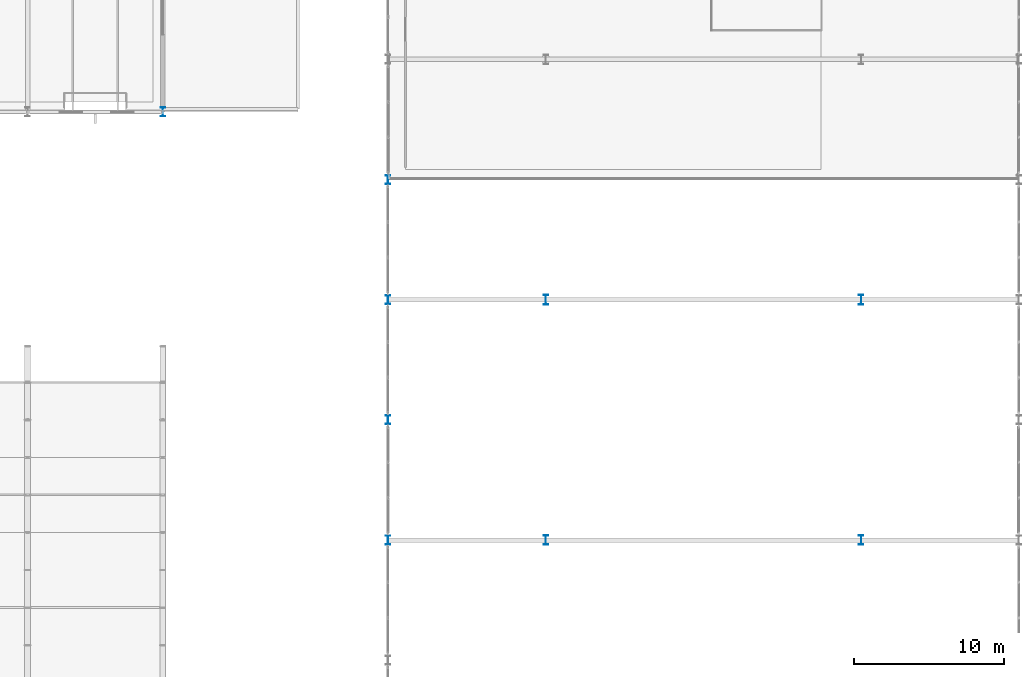
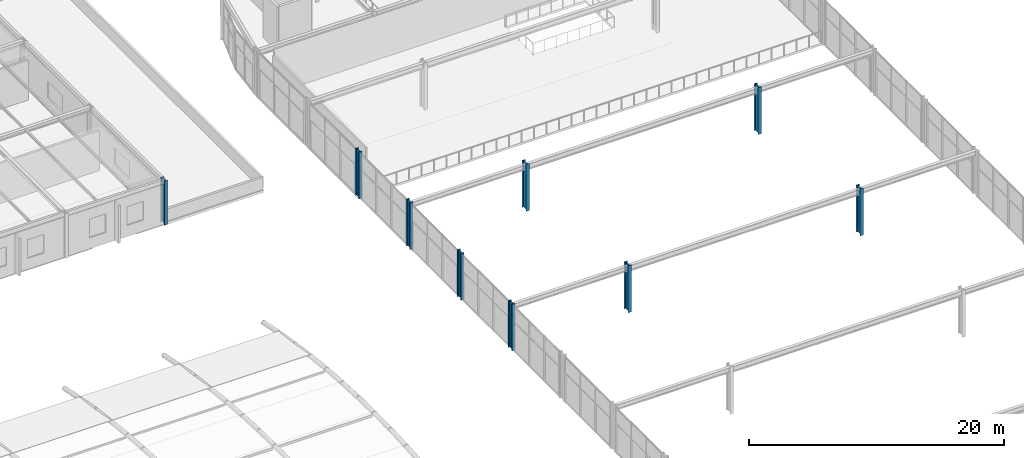
# One storey, part 5 of 105: 9 columns.
"""IFC4 building model written with IfcOpenShell, lengths in metres."""

from ifc_helpers import new_model, si_unit, direction, frame, origin, origin_2d, place, context, subcontext, project, spatial, i_section, extrude, material, material_profile, profile_set, type_object, element, save


model = new_model("IFC4")

# Units and contexts
model_context = context("Model", 3, precision=1e-05, world=origin(), true_north=direction((0.0, 1.0)))
body_context = subcontext(model_context, "Body", "Model", "MODEL_VIEW")
ifc_project = project(units=[si_unit("LENGTHUNIT", "METRE"), si_unit("AREAUNIT", "SQUARE_METRE"), si_unit("VOLUMEUNIT", "CUBIC_METRE"), si_unit("PLANEANGLEUNIT", "RADIAN"), si_unit("MASSUNIT", "GRAM", prefix="KILO")], contexts=[model_context])

# Site, building, storey
site_placement = place(None, origin())
site = spatial("IfcSite", under=ifc_project, at=site_placement, CompositionType="ELEMENT")
building_placement = place(site_placement, origin())
building = spatial("IfcBuilding", under=site, at=building_placement, Name="Marlcrest Central Station", CompositionType="ELEMENT")
storey_placement = place(building_placement, frame((0.0, 0.0, 15.0)))
storey = spatial("IfcBuildingStorey", under=building, at=storey_placement, Name="L03", CompositionType="ELEMENT", Elevation=15.0)

# Columns
ifc_material = material(Name="Steel S355", Category="steel")
ifc_material_profile_1 = material_profile(ifc_material, i_section(OverallWidth=0.300048828125, OverallDepth=0.60009765625, WebThickness=0.015380859375, FlangeThickness=0.030029296875, FilletRadius=0.027099609375, at=origin_2d()), Name="HEB 600")
ifc_profile_set_1 = profile_set([ifc_material_profile_1], Name="Steel S355")
column_type_1 = type_object("IfcColumnType", Name="SC-05", PredefinedType="COLUMN", material=ifc_profile_set_1)
column_placement = place(storey_placement, frame((72.0, 99.0, 0.0), z_axis=(0.0, 0.0, 1.0), x_axis=(1.0, 0.0, 0.0)))
element("IfcColumn", 1, at=column_placement, inside=storey, type_object=column_type_1, Name="col-SC-05-L03-0189", PredefinedType="COLUMN", context=body_context, shape_type="SweptSolid", body=[
    extrude(i_section(OverallWidth=0.300048828125, OverallDepth=0.60009765625, WebThickness=0.015380859375, FlangeThickness=0.030029296875, FilletRadius=0.027099609375, at=origin_2d()), origin(), (0.0, 0.0, 1.0), 4.235107421875),
])
for number, where, z_axis, x_axis, name in (
    (2, (87.0, 70.5, 0.0), (0.0, 0.0, 1.0), (1.0, 0.0, 0.0), "col-SC-05-L03-0728"),
    (3, (87.0, 78.5, 0.0), (0.0, 0.0, 1.0), (1.0, 0.0, 0.0), "col-SC-05-L03-0736"),
    (4, (87.0, 86.5, 0.0), (0.0, 0.0, 1.0), (1.0, 0.0, 0.0), "col-SC-05-L03-0740"),
    (5, (87.0, 94.5, 0.0), (0.0, 0.0, 1.0), (1.0, 0.0, 0.0), "col-SC-05-L03-0748"),
):
    element("IfcColumn", number, at=place(storey_placement, frame(where, z_axis=z_axis, x_axis=x_axis)), inside=storey, type_object=column_type_1, Name=name, PredefinedType="COLUMN", context=body_context, shape_type="SweptSolid", body=[
        extrude(i_section(OverallWidth=0.300048828125, OverallDepth=0.60009765625, WebThickness=0.015380859375, FlangeThickness=0.030029296875, FilletRadius=0.027099609375, at=origin_2d()), origin(), (0.0, 0.0, 1.0), 4.5),
    ])
ifc_material_profile_2 = material_profile(ifc_material, i_section(OverallWidth=0.300048828125, OverallDepth=0.64990234375, WebThickness=0.01611328125, FlangeThickness=0.031005859375, FilletRadius=0.027099609375, at=origin_2d()), Name="HEB 650")
ifc_profile_set_2 = profile_set([ifc_material_profile_2], Name="Steel S355")
column_type_2 = type_object("IfcColumnType", Name="SC-06", PredefinedType="COLUMN", material=ifc_profile_set_2)
for number, where, z_axis, x_axis, name in (
    (6, (97.5, 70.5, 0.0), (0.0, 0.0, 1.0), (1.0, 0.0, 0.0), "col-SC-06-L03-0730"),
    (7, (118.5, 70.5, 0.0), (0.0, 0.0, 1.0), (1.0, 0.0, 0.0), "col-SC-06-L03-0732"),
    (8, (97.5, 86.5, 0.0), (0.0, 0.0, 1.0), (1.0, 0.0, 0.0), "col-SC-06-L03-0742"),
    (9, (118.5, 86.5, 0.0), (0.0, 0.0, 1.0), (1.0, 0.0, 0.0), "col-SC-06-L03-0744"),
):
    element("IfcColumn", number, at=place(storey_placement, frame(where, z_axis=z_axis, x_axis=x_axis)), inside=storey, type_object=column_type_2, Name=name, PredefinedType="COLUMN", context=body_context, shape_type="SweptSolid", body=[
        extrude(i_section(OverallWidth=0.300048828125, OverallDepth=0.64990234375, WebThickness=0.01611328125, FlangeThickness=0.031005859375, FilletRadius=0.027099609375, at=origin_2d()), origin(), (0.0, 0.0, 1.0), 4.5),
    ])

save(model, "model.ifc")
